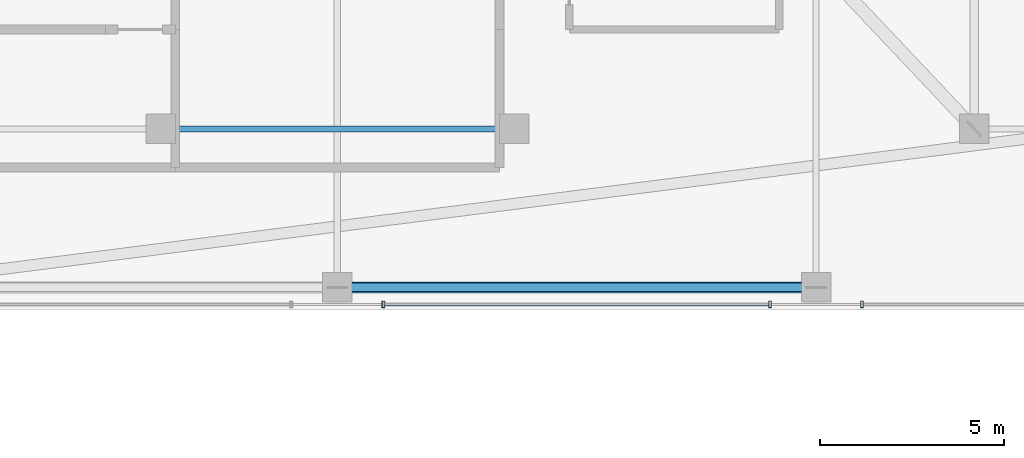
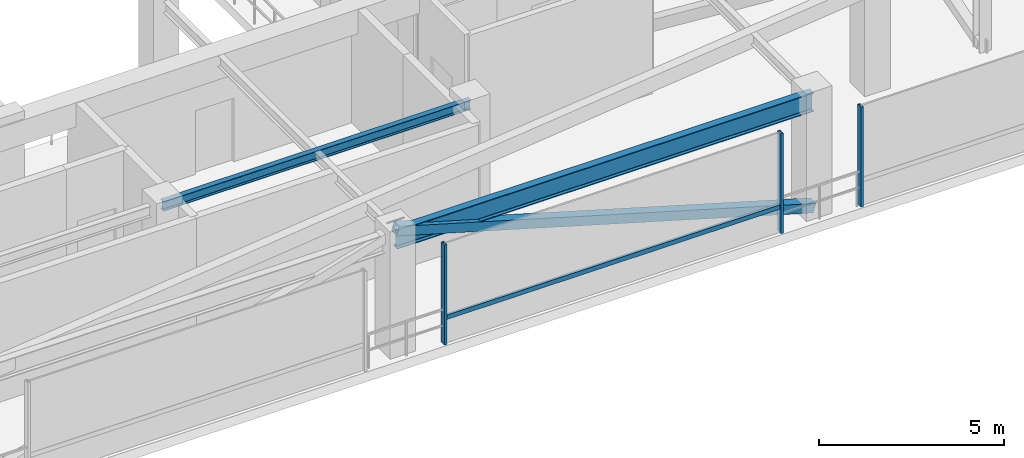
# One storey, part 27 of 47: 5 members, 2 beams, 2 elements without a shape of their own.
"""IFC4 building model written with IfcOpenShell, lengths in metres."""

from ifc_helpers import new_model, si_unit, direction, frame, origin, origin_2d, place, context, subcontext, project, spatial, hollow_rectangle, i_section, extrude, material, material_profile, profile_set, type_object, element, aggregate, save


model = new_model("IFC4")

# Units and contexts
model_context = context("Model", 3, precision=1e-05, world=origin(), true_north=direction((0.0, 1.0)))
body_context = subcontext(model_context, "Body", "Model", "MODEL_VIEW")
ifc_project = project(units=[si_unit("LENGTHUNIT", "METRE"), si_unit("AREAUNIT", "SQUARE_METRE"), si_unit("VOLUMEUNIT", "CUBIC_METRE"), si_unit("PLANEANGLEUNIT", "RADIAN"), si_unit("MASSUNIT", "GRAM", prefix="KILO")], contexts=[model_context])

# Site, building, storey
site_placement = place(None, origin())
site = spatial("IfcSite", under=ifc_project, at=site_placement, CompositionType="ELEMENT")
building_placement = place(site_placement, origin())
building = spatial("IfcBuilding", under=site, at=building_placement, Name="Thornwick Lancets Civic Towers", CompositionType="ELEMENT")
storey_placement = place(building_placement, frame((0.0, 0.0, 279.89990234375)))
storey = spatial("IfcBuildingStorey", under=building, at=storey_placement, Name="C01", CompositionType="ELEMENT", Elevation=279.89990234375)

# Beams
ifc_material_1 = material(Name="Steel S355JR", Category="steel")
ifc_material_profile_1 = material_profile(ifc_material_1, i_section(OverallWidth=0.230224609375, OverallDepth=0.6171875, WebThickness=0.01318359375, FlangeThickness=0.022216796875, FilletRadius=0.0126953125, at=origin_2d()), Name="UKB 610x229x140")
ifc_profile_set_1 = profile_set([ifc_material_profile_1], Name="Steel S355JR")
beam_type_1 = type_object("IfcBeamType", Name="BM_GIRD_610_140", PredefinedType="BEAM", material=ifc_profile_set_1)
beam_1_placement = place(storey_placement, frame((101.5, 9.699951171875, 3.631591796875), z_axis=(-1.0, 0.0, 0.0), x_axis=(0.0, -1.0, 0.0)))
element("IfcBeam", 1, at=beam_1_placement, inside=storey, type_object=beam_type_1, Name="BM-SPINE-C01-B-9-10", PredefinedType="BEAM", context=body_context, shape_type="SweptSolid", body=[
    extrude(i_section(OverallWidth=0.230224609375, OverallDepth=0.6171875, WebThickness=0.01318359375, FlangeThickness=0.022216796875, FilletRadius=0.0126953125, at=origin_2d()), origin(), (0.0, 0.0, 1.0), 13.0),
])
ifc_material_profile_2 = material_profile(ifc_material_1, i_section(OverallWidth=0.1669921875, OverallDepth=0.310302734375, WebThickness=0.0078125, FlangeThickness=0.013671875, FilletRadius=0.0087890625, at=origin_2d()), Name="UKB 305x165x54")
ifc_profile_set_2 = profile_set([ifc_material_profile_2], Name="Steel S355JR")
beam_type_2 = type_object("IfcBeamType", Name="BM_LINTEL_305_54", PredefinedType="LINTEL", material=ifc_profile_set_2)
beam_2_placement = place(storey_placement, frame((93.300048828125, 14.0, 3.784912109375), z_axis=(-1.0, 0.0, 0.0), x_axis=(0.0, -1.0, 0.0)))
element("IfcBeam", 2, at=beam_2_placement, inside=storey, type_object=beam_type_2, Name="BM-INSP-C01-B-0-2", PredefinedType="LINTEL", context=body_context, shape_type="SweptSolid", body=[
    extrude(i_section(OverallWidth=0.1669921875, OverallDepth=0.310302734375, WebThickness=0.0078125, FlangeThickness=0.013671875, FilletRadius=0.0087890625, at=origin_2d()), origin(), (0.0, 0.0, 1.0), 9.60009765625),
])

# Curtain wall, members
ifc_material_2 = material(Name="Crown ring acoustic-louvre and glazing screen wall", Category="glass")
curtain_wall_type = type_object("IfcCurtainWallType", Name="CW_SYS_07", PredefinedType="NOTDEFINED", material=ifc_material_2)
curtain_wall_1_placement = place(storey_placement, origin())
curtain_wall_1 = element("IfcCurtainWall", 3, at=curtain_wall_1_placement, inside=storey, type_object=curtain_wall_type, Name="C01 Curtain Wall CW-C01-B-E0-S2", PredefinedType="NOTDEFINED")
ifc_material_3 = material(Name="Thermally broken bronze aluminium S355", Category="steel")
ifc_material_profile_3 = material_profile(ifc_material_3, hollow_rectangle(XDim=0.074951171875, YDim=0.179931640625, WallThickness=0.006103515625, at=origin_2d()), Name="RHS 180x75x6")
ifc_profile_set_3 = profile_set([ifc_material_profile_3], Name="Thermally broken bronze aluminium S355")
member_type_1 = type_object("IfcMemberType", Name="CW_MUL_180", PredefinedType="MULLION", material=ifc_profile_set_3)
member_1_placement = place(storey_placement, frame((89.75, 9.2353515625, 0.0), z_axis=(0.0, 0.0, 1.0), x_axis=(1.0, 0.0, 0.0)))
member_1 = element("IfcMember", 4, at=member_1_placement, type_object=member_type_1, Name="CW-C01-B-E0-S2 Mullion 0", PredefinedType="MULLION", context=body_context, shape_type="SweptSolid", body=[
    extrude(hollow_rectangle(XDim=0.074951171875, YDim=0.179931640625, WallThickness=0.006103515625, at=origin_2d()), origin(), (0.0, 0.0, 1.0), 3.300048828125),
])
member_2_placement = place(storey_placement, frame((100.25, 9.2353515625, 0.0), z_axis=(0.0, 0.0, 1.0), x_axis=(1.0, 0.0, 0.0)))
member_2 = element("IfcMember", 5, at=member_2_placement, type_object=member_type_1, Name="CW-C01-B-E0-S2 Mullion 1", PredefinedType="MULLION", context=body_context, shape_type="SweptSolid", body=[
    extrude(hollow_rectangle(XDim=0.074951171875, YDim=0.179931640625, WallThickness=0.006103515625, at=origin_2d()), origin(), (0.0, 0.0, 1.0), 3.300048828125),
])

# Curtain wall, member
curtain_wall_2_placement = place(storey_placement, origin())
curtain_wall_2 = element("IfcCurtainWall", 6, at=curtain_wall_2_placement, inside=storey, type_object=curtain_wall_type, Name="C01 Curtain Wall CW-C01-B-E0-S3", PredefinedType="NOTDEFINED")
member_3_placement = place(storey_placement, frame((102.75, 9.2353515625, 0.0), z_axis=(0.0, 0.0, 1.0), x_axis=(1.0, 0.0, 0.0)))
member_3 = element("IfcMember", 7, at=member_3_placement, type_object=member_type_1, Name="CW-C01-B-E0-S3 Mullion 0", PredefinedType="MULLION", context=body_context, shape_type="SweptSolid", body=[
    extrude(hollow_rectangle(XDim=0.074951171875, YDim=0.179931640625, WallThickness=0.006103515625, at=origin_2d()), origin(), (0.0, 0.0, 1.0), 3.300048828125),
])
aggregate(curtain_wall_2, [member_3])

# Member
ifc_material_profile_4 = material_profile(ifc_material_3, hollow_rectangle(XDim=0.074951171875, YDim=0.14990234375, WallThickness=0.0048828125, at=origin_2d()), Name="RHS 150x75x5")
ifc_profile_set_4 = profile_set([ifc_material_profile_4], Name="Thermally broken bronze aluminium S355")
member_type_2 = type_object("IfcMemberType", Name="CW_TRN_150", PredefinedType="USERDEFINED", material=ifc_profile_set_4)
member_4_placement = place(storey_placement, frame((89.77001953125, 9.2353515625, 0.85009765625), z_axis=(1.0, 0.0, 0.0), x_axis=(0.0, 1.0, 0.0)))
member_4 = element("IfcMember", 8, at=member_4_placement, type_object=member_type_2, Name="CW-C01-B-E0-S2 Transom 0", ObjectType="TRANSOM", PredefinedType="USERDEFINED", context=body_context, shape_type="SweptSolid", body=[
    extrude(hollow_rectangle(XDim=0.074951171875, YDim=0.14990234375, WallThickness=0.0048828125, at=origin_2d()), origin(), (0.0, 0.0, 1.0), 10.4599609375),
])

aggregate(curtain_wall_1, [member_1, member_2, member_4])

ifc_material_4 = material(Name="Steel S460M", Category="steel")
ifc_material_profile_5 = material_profile(ifc_material_4, hollow_rectangle(XDim=0.300048828125, YDim=0.300048828125, WallThickness=0.01611328125, at=origin_2d()), Name="SHS 300x300x16")
ifc_profile_set_5 = profile_set([ifc_material_profile_5], Name="Steel S460M")
member_type_3 = type_object("IfcMemberType", Name="MEM_BELT_SHS300", PredefinedType="BRACE", material=ifc_profile_set_5)
member_5_placement = place(storey_placement, frame((101.5, 9.699951171875, 0.150146484375), z_axis=(-0.960032302388, 0.0, 0.279889225178), x_axis=(0.0, -1.0, 0.0)))
element("IfcMember", 9, at=member_5_placement, inside=storey, type_object=member_type_3, Name="C01 Belt Truss Diagonal B-S3-1", PredefinedType="BRACE", context=body_context, shape_type="SweptSolid", body=[
    extrude(hollow_rectangle(XDim=0.300048828125, YDim=0.300048828125, WallThickness=0.01611328125, at=origin_2d()), origin(), (0.0, 0.0, 1.0), 13.541259765625),
])

save(model, "model.ifc")
